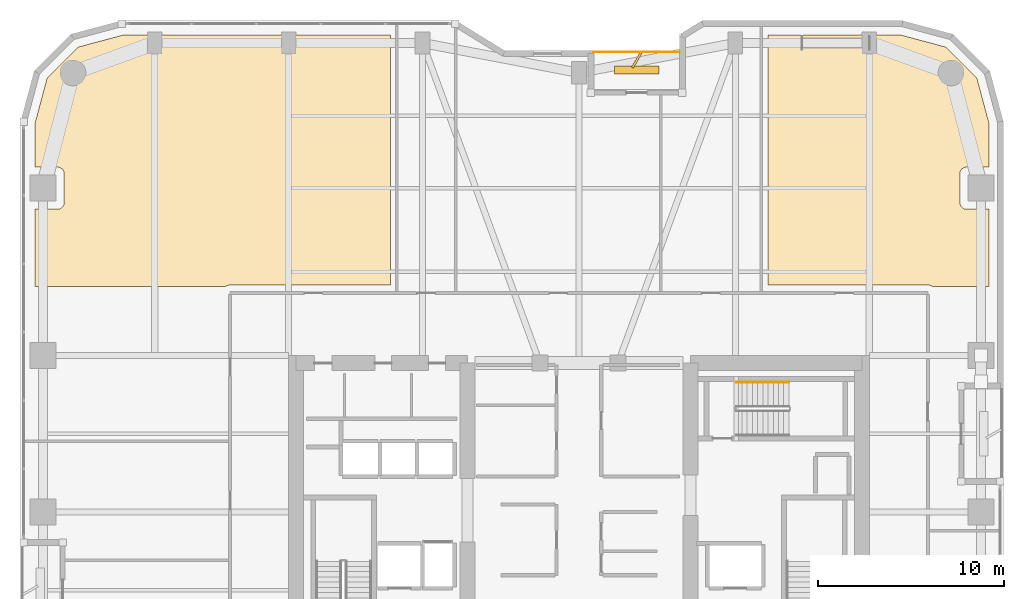
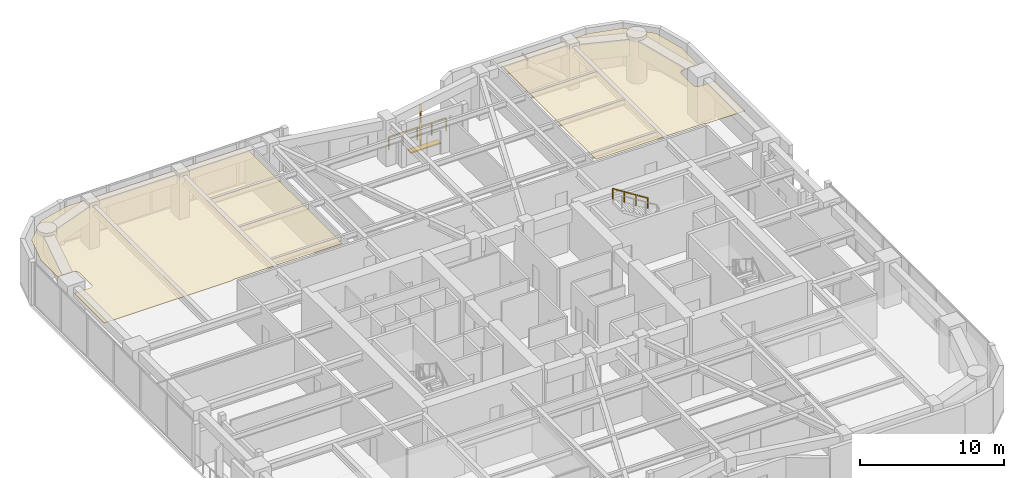
# One storey, part 24 of 24: 2 coverings, 2 railings, 2 shading devices.
"""IFC4 building model written with IfcOpenShell, lengths in metres."""

from ifc_helpers import new_model, si_unit, direction, frame, origin, origin_2d, place, context, subcontext, project, spatial, polyline, rectangle, outline, extrude, material, layer, layer_set, type_object, element, save


model = new_model("IFC4")

# Units and contexts
model_context = context("Model", 3, precision=1e-05, world=origin(), true_north=direction((0.0, 1.0)))
body_context = subcontext(model_context, "Body", "Model", "MODEL_VIEW")
ifc_project = project(units=[si_unit("LENGTHUNIT", "METRE"), si_unit("AREAUNIT", "SQUARE_METRE"), si_unit("VOLUMEUNIT", "CUBIC_METRE"), si_unit("PLANEANGLEUNIT", "RADIAN"), si_unit("MASSUNIT", "GRAM", prefix="KILO")], contexts=[model_context])

# Site, building, storey
site_placement = place(None, origin())
site = spatial("IfcSite", under=ifc_project, at=site_placement, CompositionType="ELEMENT")
building_placement = place(site_placement, origin())
building = spatial("IfcBuilding", under=site, at=building_placement, Name="Kiyonajd Concourse Tower", CompositionType="ELEMENT")
storey_placement = place(building_placement, frame((0.0, 0.0, 93.60009765625)))
storey = spatial("IfcBuildingStorey", under=building, at=storey_placement, Name="L24", CompositionType="ELEMENT", Elevation=93.60009765625)

# Coverings
ifc_material_1 = material(Name="Natural Oak Acoustic Timber Veneer", Category="wood")
ifc_layer = layer(ifc_material_1, 0.0400390625)
ifc_layer_set = layer_set([ifc_layer], Name="Natural Oak Acoustic Timber Veneer")
covering_type = type_object("IfcCoveringType", Name="CV-CLG-ACST", PredefinedType="CEILING", material=ifc_layer_set)
covering_1_placement = place(storey_placement, frame((0.0, 0.0, 3.4599609375)))
element("IfcCovering", 1, at=covering_1_placement, inside=storey, type_object=covering_type, Name="L24-46 Room Acoustic Ceiling", PredefinedType="CEILING", context=body_context, shape_type="SweptSolid", body=[
    extrude(outline(polyline([(21.097900390625, 60.986083984375), (23.5009765625, 61.6298828125), (37.860107421875, 61.6298828125), (37.860107421875, 48.199951171875), (29.25, 48.199951171875), (29.1201171875, 48.179931640625), (29.056884765625, 48.154052734375), (29.001953125, 48.1201171875), (18.77001953125, 48.1201171875), (18.77001953125, 52.27001953125), (19.97998046875, 52.27001953125), (20.048095703125, 52.277099609375), (20.14501953125, 52.31103515625), (20.201904296875, 52.34912109375), (20.2509765625, 52.39794921875), (20.2890625, 52.455078125), (20.31494140625, 52.51806640625), (20.330078125, 52.6201171875), (20.330078125, 54.179931640625), (20.31494140625, 54.281982421875), (20.2890625, 54.344970703125), (20.2509765625, 54.402099609375), (20.201904296875, 54.450927734375), (20.14501953125, 54.489013671875), (20.08203125, 54.514892578125), (20.013916015625, 54.528076171875), (18.77001953125, 54.530029296875), (18.77001953125, 56.89892578125), (19.4140625, 59.302001953125), (21.097900390625, 60.986083984375)])), origin(), (0.0, 0.0, 1.0), 0.0400390625),
])
covering_2_placement = place(storey_placement, frame((0.0, 0.0, 3.4599609375)))
element("IfcCovering", 2, at=covering_2_placement, inside=storey, type_object=covering_type, Name="L24-50 Room Acoustic Ceiling", PredefinedType="CEILING", context=body_context, shape_type="SweptSolid", body=[
    extrude(outline(polyline([(66.998046875, 48.1201171875), (66.943115234375, 48.154052734375), (66.8798828125, 48.179931640625), (66.75, 48.199951171875), (58.159912109375, 48.199951171875), (58.159912109375, 61.6298828125), (65.299072265625, 61.6298828125), (67.701904296875, 60.986083984375), (69.385986328125, 59.302001953125), (70.030029296875, 56.89892578125), (70.030029296875, 54.530029296875), (68.785888671875, 54.528076171875), (68.718017578125, 54.514892578125), (68.655029296875, 54.489013671875), (68.597900390625, 54.450927734375), (68.549072265625, 54.402099609375), (68.510986328125, 54.344970703125), (68.485107421875, 54.281982421875), (68.469970703125, 54.179931640625), (68.471923828125, 52.5859375), (68.4970703125, 52.486083984375), (68.549072265625, 52.39794921875), (68.597900390625, 52.34912109375), (68.655029296875, 52.31103515625), (68.751953125, 52.277099609375), (68.820068359375, 52.27001953125), (70.030029296875, 52.27001953125), (70.030029296875, 48.1201171875), (66.998046875, 48.1201171875)])), origin(), (0.0, 0.0, 1.0), 0.0400390625),
])

# Railings
ifc_material_2 = material(Name="Thermally Broken Anodised Aluminium", Category="aluminium")
railing_type_1 = type_object("IfcRailingType", Name="RL-GRD-LOG", PredefinedType="GUARDRAIL", material=ifc_material_2)
railing_1_placement = place(storey_placement, frame((53.39990234375, 60.719970703125, 0.0)))
element("IfcRailing", 3, at=railing_1_placement, inside=storey, type_object=railing_type_1, Name="L24 Engawa Loggia Perimeter Guard LOG-N", PredefinedType="GUARDRAIL", context=body_context, shape_type="SweptSolid", body=[
    extrude(rectangle(XDim=0.048095703125, YDim=0.048095703125, at=origin_2d()), frame((0.0, 0.0, 1.076171875), z_axis=(-1.0, 0.0, 0.0), x_axis=(0.0, -1.0, 0.0)), (0.0, 0.0, 1.0), 4.599853515625),
    extrude(rectangle(XDim=0.0419921875, YDim=0.0419921875, at=origin_2d()), origin(), (0.0, 0.0, 1.0), 1.052001953125),
    extrude(rectangle(XDim=0.0419921875, YDim=0.0419921875, at=origin_2d()), frame((-1.14990234375, 0.0, 0.0)), (0.0, 0.0, 1.0), 1.052001953125),
    extrude(rectangle(XDim=0.0419921875, YDim=0.0419921875, at=origin_2d()), frame((-2.2998046875, 0.0, 0.0)), (0.0, 0.0, 1.0), 1.052001953125),
    extrude(rectangle(XDim=0.0419921875, YDim=0.0419921875, at=origin_2d()), frame((-3.449951171875, 0.0, 0.0)), (0.0, 0.0, 1.0), 1.052001953125),
    extrude(rectangle(XDim=0.0419921875, YDim=0.0419921875, at=origin_2d()), frame((-4.599853515625, 0.0, 0.0)), (0.0, 0.0, 1.0), 1.052001953125),
])
ifc_material_3 = material(Name="Brushed Stainless Steel Cab Assembly", Category="steel")
railing_type_2 = type_object("IfcRailingType", Name="RL-HND-900", PredefinedType="HANDRAIL", material=ifc_material_3)
railing_2_placement = place(storey_placement, frame((59.280029296875, 42.969970703125, 2.127197265625)))
element("IfcRailing", 4, at=railing_2_placement, inside=storey, type_object=railing_type_2, Name="L24 ST3 stair handrail 2", PredefinedType="HANDRAIL", context=body_context, shape_type="SweptSolid", body=[
    extrude(rectangle(XDim=0.048095703125, YDim=0.048095703125, at=origin_2d()), frame((0.0, 0.0, 0.8759765625), z_axis=(-0.844908973607, 0.0, 0.534910110503), x_axis=(0.0, -1.0, 0.0)), (0.0, 0.0, 1.0), 3.31396484375),
    extrude(rectangle(XDim=0.0419921875, YDim=0.0419921875, at=origin_2d()), origin(), (0.0, 0.0, 1.0), 0.851806640625),
    extrude(rectangle(XDim=0.0419921875, YDim=0.0419921875, at=origin_2d()), frame((-0.933349609375, 0.0, 0.5908203125)), (0.0, 0.0, 1.0), 0.851806640625),
    extrude(rectangle(XDim=0.0419921875, YDim=0.0419921875, at=origin_2d()), frame((-1.86669921875, 0.0, 1.181884765625)), (0.0, 0.0, 1.0), 0.851806640625),
    extrude(rectangle(XDim=0.0419921875, YDim=0.0419921875, at=origin_2d()), frame((-2.800048828125, 0.0, 1.772705078125)), (0.0, 0.0, 1.0), 0.851806640625),
])

# Shading devices
ifc_material_4 = material(Name="Precast concrete C50/60", Category="concrete")
shading_device_type_1 = type_object("IfcShadingDeviceType", Name="SH-FIN-900", PredefinedType="USERDEFINED", material=ifc_material_4)
shading_device_1_placement = place(storey_placement, frame((51.10009765625, 60.27001953125, 0.0), z_axis=(0.0, 0.0, 1.0), x_axis=(0.5, 0.866025403784, 0.0)))
element("IfcShadingDevice", 5, at=shading_device_1_placement, inside=storey, type_object=shading_device_type_1, Name="L24 Angled Koshi Solar Fin LOG-N", ObjectType="FIN", PredefinedType="USERDEFINED", context=body_context, shape_type="SweptSolid", body=[
    extrude(rectangle(XDim=0.89990234375, YDim=0.1201171875, at=origin_2d()), origin(), (0.0, 0.0, 1.0), 3.0),
])
shading_device_type_2 = type_object("IfcShadingDeviceType", Name="SH-LVR-600", PredefinedType="JALOUSIE", material=ifc_material_2)
shading_device_2_placement = place(storey_placement, frame((51.10009765625, 59.75, -0.000244140625), z_axis=(0.0, 0.0, 1.0), x_axis=(1.0, 0.0, 0.0)))
element("IfcShadingDevice", 6, at=shading_device_2_placement, inside=storey, type_object=shading_device_type_2, Name="L24 Loggia Threshold Louver LOG-N", PredefinedType="JALOUSIE", context=body_context, shape_type="SweptSolid", body=[
    extrude(rectangle(XDim=2.39990234375, YDim=0.449951171875, at=origin_2d()), origin(), (0.0, 0.0, 1.0), 0.10009765625),
])

save(model, "model.ifc")
